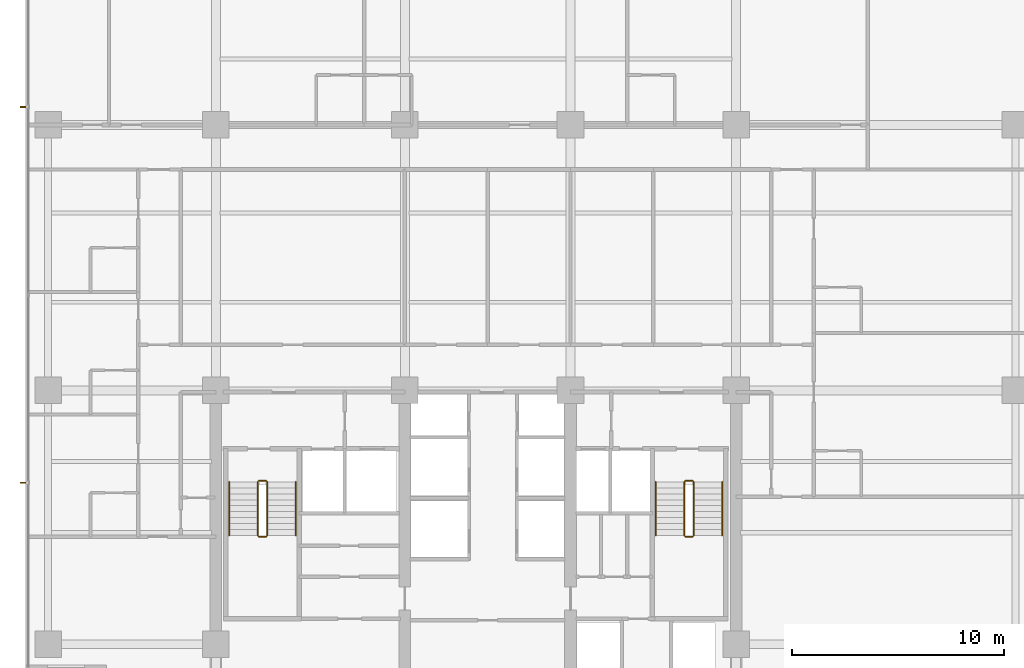
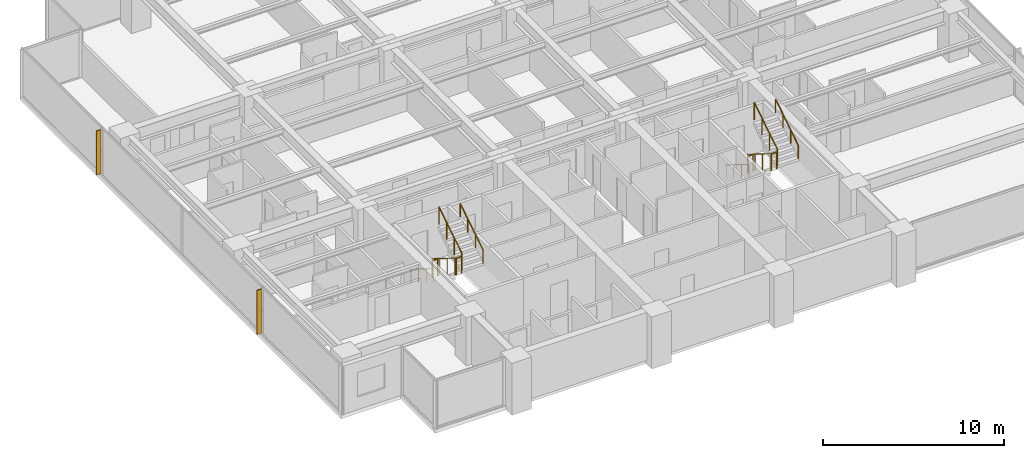
# One storey, part 16 of 17: 12 railings, 2 shading devices.
"""IFC4 building model written with IfcOpenShell, lengths in metres."""

from ifc_helpers import new_model, si_unit, direction, frame, origin, origin_2d, place, context, subcontext, project, spatial, polyline, circle, outline, extrude, material, layer, layer_set, type_object, element, save


model = new_model("IFC4")

# Units and contexts
model_context = context("Model", 3, precision=1e-05, world=origin(), true_north=direction((0.0, 1.0)))
body_context = subcontext(model_context, "Body", "Model", "MODEL_VIEW")
ifc_project = project(units=[si_unit("LENGTHUNIT", "METRE"), si_unit("AREAUNIT", "SQUARE_METRE"), si_unit("VOLUMEUNIT", "CUBIC_METRE"), si_unit("PLANEANGLEUNIT", "RADIAN"), si_unit("MASSUNIT", "GRAM", prefix="KILO")], contexts=[model_context])

# Site, building, storey
site_placement = place(None, origin())
site = spatial("IfcSite", under=ifc_project, at=site_placement, CompositionType="ELEMENT")
building_placement = place(site_placement, origin())
building = spatial("IfcBuilding", under=site, at=building_placement, Name="Qalmaran Belvedere Hotel", CompositionType="ELEMENT")
storey_placement = place(building_placement, frame((0.0, 0.0, 116.199951171875)))
storey = spatial("IfcBuildingStorey", under=building, at=storey_placement, Name="L29", CompositionType="ELEMENT", Elevation=116.199951171875)

# Shading devices
ifc_material_1 = material(Name="Anodised Bronze Aluminium", Category="aluminium")
ifc_layer = layer(ifc_material_1, 0.06494140625, Name="Anodised Bronze Aluminium")
ifc_layer_set = layer_set([ifc_layer], Name="Anodised Bronze Aluminium")
shading_device_type = type_object("IfcShadingDeviceType", Name="FIN-BRNZ-300", PredefinedType="USERDEFINED", material=ifc_layer_set)
shading_device_1_placement = place(storey_placement, frame((0.0, 0.0, 0.16015625)))
element("IfcShadingDevice", 1, at=shading_device_1_placement, inside=storey, type_object=shading_device_type, Name="L29 Bronze Fin 1", ObjectType="FIN", PredefinedType="USERDEFINED", context=body_context, shape_type="SweptSolid", body=[
    extrude(outline(polyline([(11.3798828125, 33.882568359375), (11.080078125, 33.882568359375), (11.080078125, 33.8173828125), (11.3798828125, 33.8173828125), (11.3798828125, 33.882568359375)])), origin(), (0.0, 0.0, 1.0), 2.9599609375),
])
shading_device_2_placement = place(storey_placement, frame((0.0, 0.0, 0.16015625)))
element("IfcShadingDevice", 2, at=shading_device_2_placement, inside=storey, type_object=shading_device_type, Name="L29 Bronze Fin 3", ObjectType="FIN", PredefinedType="USERDEFINED", context=body_context, shape_type="SweptSolid", body=[
    extrude(outline(polyline([(11.3798828125, 16.1826171875), (11.080078125, 16.1826171875), (11.080078125, 16.117431640625), (11.3798828125, 16.117431640625), (11.3798828125, 16.1826171875)])), origin(), (0.0, 0.0, 1.0), 2.9599609375),
])

# Railings
ifc_material_2 = material(Name="Stainless Steel 1.4401", Category="steel")
railing_type_1 = type_object("IfcRailingType", Name="RLG-STAIR-GUARD-1150", PredefinedType="GUARDRAIL", material=ifc_material_2)
railing_1_placement = place(storey_placement, frame((22.280029296875, 16.18994140625, 0.175048828125)))
element("IfcRailing", 3, at=railing_1_placement, inside=storey, type_object=railing_type_1, Name="L29 ST-1 stair guard 1", PredefinedType="GUARDRAIL", context=body_context, shape_type="SweptSolid", body=[
    extrude(circle(Radius=0.02392578125, at=origin_2d()), frame((0.0, 0.0, 1.1259765625), z_axis=(0.0, -0.848007534815, 0.529984170421), x_axis=(1.0, 0.0, 0.0)), (0.0, 0.0, 1.0), 2.9716796875),
    extrude(circle(Radius=0.02099609375, at=origin_2d()), origin(), (0.0, 0.0, 1.0), 1.101806640625),
    extrude(circle(Radius=0.02099609375, at=origin_2d()), frame((0.0, -0.840087890625, 0.52490234375)), (0.0, 0.0, 1.0), 1.101806640625),
    extrude(circle(Radius=0.02099609375, at=origin_2d()), frame((0.0, -1.679931640625, 1.050048828125)), (0.0, 0.0, 1.0), 1.101806640625),
    extrude(circle(Radius=0.02099609375, at=origin_2d()), frame((0.0, -2.52001953125, 1.574951171875)), (0.0, 0.0, 1.0), 1.101806640625),
])
railing_2_placement = place(storey_placement, frame((22.330078125, 13.6201171875, 1.75)))
element("IfcRailing", 4, at=railing_2_placement, inside=storey, type_object=railing_type_1, Name="L29 ST-1 stair guard 2", PredefinedType="GUARDRAIL", context=body_context, shape_type="SweptSolid", body=[
    extrude(circle(Radius=0.02392578125, at=origin_2d()), frame((0.0, 0.0, 1.1259765625), z_axis=(1.0, 0.0, 0.0), x_axis=(0.0, 1.0, 0.0)), (0.0, 0.0, 1.0), 0.33984375),
    extrude(circle(Radius=0.02099609375, at=origin_2d()), origin(), (0.0, 0.0, 1.0), 1.101806640625),
    extrude(circle(Radius=0.02099609375, at=origin_2d()), frame((0.33984375, 0.0, 0.0)), (0.0, 0.0, 1.0), 1.101806640625),
])
railing_3_placement = place(storey_placement, frame((22.719970703125, 13.669921875, 1.925048828125)))
element("IfcRailing", 5, at=railing_3_placement, inside=storey, type_object=railing_type_1, Name="L29 ST-1 stair guard 3", PredefinedType="GUARDRAIL", context=body_context, shape_type="SweptSolid", body=[
    extrude(circle(Radius=0.02392578125, at=origin_2d()), frame((0.0, 0.0, 1.1259765625), z_axis=(0.0, 0.848007534815, 0.529984170421), x_axis=(-1.0, 0.0, 0.0)), (0.0, 0.0, 1.0), 2.9716796875),
    extrude(circle(Radius=0.02099609375, at=origin_2d()), origin(), (0.0, 0.0, 1.0), 1.101806640625),
    extrude(circle(Radius=0.02099609375, at=origin_2d()), frame((0.0, 0.840087890625, 0.52490234375)), (0.0, 0.0, 1.0), 1.101806640625),
    extrude(circle(Radius=0.02099609375, at=origin_2d()), frame((0.0, 1.679931640625, 1.050048828125)), (0.0, 0.0, 1.0), 1.101806640625),
    extrude(circle(Radius=0.02099609375, at=origin_2d()), frame((0.0, 2.52001953125, 1.574951171875)), (0.0, 0.0, 1.0), 1.101806640625),
])
railing_4_placement = place(storey_placement, frame((22.330078125, 16.239990234375, 0.0)))
element("IfcRailing", 6, at=railing_4_placement, inside=storey, type_object=railing_type_1, Name="L29 ST-1 stair guard 4", PredefinedType="GUARDRAIL", context=body_context, shape_type="SweptSolid", body=[
    extrude(circle(Radius=0.02392578125, at=origin_2d()), frame((0.0, 0.0, 1.1259765625), z_axis=(1.0, 0.0, 0.0), x_axis=(0.0, 1.0, 0.0)), (0.0, 0.0, 1.0), 0.33984375),
    extrude(circle(Radius=0.02099609375, at=origin_2d()), origin(), (0.0, 0.0, 1.0), 1.101806640625),
    extrude(circle(Radius=0.02099609375, at=origin_2d()), frame((0.33984375, 0.0, 0.0)), (0.0, 0.0, 1.0), 1.101806640625),
])
railing_5_placement = place(storey_placement, frame((42.360107421875, 16.18994140625, 0.175048828125)))
element("IfcRailing", 7, at=railing_5_placement, inside=storey, type_object=railing_type_1, Name="L29 ST-2 stair guard 1", PredefinedType="GUARDRAIL", context=body_context, shape_type="SweptSolid", body=[
    extrude(circle(Radius=0.02392578125, at=origin_2d()), frame((0.0, 0.0, 1.1259765625), z_axis=(0.0, -0.848007534815, 0.529984170421), x_axis=(1.0, 0.0, 0.0)), (0.0, 0.0, 1.0), 2.9716796875),
    extrude(circle(Radius=0.02099609375, at=origin_2d()), origin(), (0.0, 0.0, 1.0), 1.101806640625),
    extrude(circle(Radius=0.02099609375, at=origin_2d()), frame((0.0, -0.840087890625, 0.52490234375)), (0.0, 0.0, 1.0), 1.101806640625),
    extrude(circle(Radius=0.02099609375, at=origin_2d()), frame((0.0, -1.679931640625, 1.050048828125)), (0.0, 0.0, 1.0), 1.101806640625),
    extrude(circle(Radius=0.02099609375, at=origin_2d()), frame((0.0, -2.52001953125, 1.574951171875)), (0.0, 0.0, 1.0), 1.101806640625),
])
railing_6_placement = place(storey_placement, frame((42.409912109375, 13.6201171875, 1.75)))
element("IfcRailing", 8, at=railing_6_placement, inside=storey, type_object=railing_type_1, Name="L29 ST-2 stair guard 2", PredefinedType="GUARDRAIL", context=body_context, shape_type="SweptSolid", body=[
    extrude(circle(Radius=0.02392578125, at=origin_2d()), frame((0.0, 0.0, 1.1259765625), z_axis=(1.0, 0.0, 0.0), x_axis=(0.0, 1.0, 0.0)), (0.0, 0.0, 1.0), 0.340087890625),
    extrude(circle(Radius=0.02099609375, at=origin_2d()), origin(), (0.0, 0.0, 1.0), 1.101806640625),
    extrude(circle(Radius=0.02099609375, at=origin_2d()), frame((0.340087890625, 0.0, 0.0)), (0.0, 0.0, 1.0), 1.101806640625),
])
railing_7_placement = place(storey_placement, frame((42.800048828125, 13.669921875, 1.925048828125)))
element("IfcRailing", 9, at=railing_7_placement, inside=storey, type_object=railing_type_1, Name="L29 ST-2 stair guard 3", PredefinedType="GUARDRAIL", context=body_context, shape_type="SweptSolid", body=[
    extrude(circle(Radius=0.02392578125, at=origin_2d()), frame((0.0, 0.0, 1.1259765625), z_axis=(0.0, 0.848007534815, 0.529984170421), x_axis=(-1.0, 0.0, 0.0)), (0.0, 0.0, 1.0), 2.9716796875),
    extrude(circle(Radius=0.02099609375, at=origin_2d()), origin(), (0.0, 0.0, 1.0), 1.101806640625),
    extrude(circle(Radius=0.02099609375, at=origin_2d()), frame((0.0, 0.840087890625, 0.52490234375)), (0.0, 0.0, 1.0), 1.101806640625),
    extrude(circle(Radius=0.02099609375, at=origin_2d()), frame((0.0, 1.679931640625, 1.050048828125)), (0.0, 0.0, 1.0), 1.101806640625),
    extrude(circle(Radius=0.02099609375, at=origin_2d()), frame((0.0, 2.52001953125, 1.574951171875)), (0.0, 0.0, 1.0), 1.101806640625),
])
railing_8_placement = place(storey_placement, frame((42.409912109375, 16.239990234375, 0.0)))
element("IfcRailing", 10, at=railing_8_placement, inside=storey, type_object=railing_type_1, Name="L29 ST-2 stair guard 4", PredefinedType="GUARDRAIL", context=body_context, shape_type="SweptSolid", body=[
    extrude(circle(Radius=0.02392578125, at=origin_2d()), frame((0.0, 0.0, 1.1259765625), z_axis=(1.0, 0.0, 0.0), x_axis=(0.0, 1.0, 0.0)), (0.0, 0.0, 1.0), 0.340087890625),
    extrude(circle(Radius=0.02099609375, at=origin_2d()), origin(), (0.0, 0.0, 1.0), 1.101806640625),
    extrude(circle(Radius=0.02099609375, at=origin_2d()), frame((0.340087890625, 0.0, 0.0)), (0.0, 0.0, 1.0), 1.101806640625),
])
railing_type_2 = type_object("IfcRailingType", Name="RLG-STAIR-HAND-910", PredefinedType="HANDRAIL", material=ifc_material_2)
railing_9_placement = place(storey_placement, frame((20.929931640625, 16.18994140625, 0.175048828125)))
element("IfcRailing", 11, at=railing_9_placement, inside=storey, type_object=railing_type_2, Name="L29 ST-1 stair handrail 1", PredefinedType="HANDRAIL", context=body_context, shape_type="SweptSolid", body=[
    extrude(circle(Radius=0.02392578125, at=origin_2d()), frame((0.0, 0.0, 0.8857421875), z_axis=(0.0, -0.848007534815, 0.529984170421), x_axis=(1.0, 0.0, 0.0)), (0.0, 0.0, 1.0), 2.9716796875),
    extrude(circle(Radius=0.02099609375, at=origin_2d()), origin(), (0.0, 0.0, 1.0), 0.86181640625),
    extrude(circle(Radius=0.02099609375, at=origin_2d()), frame((0.0, -0.840087890625, 0.52490234375)), (0.0, 0.0, 1.0), 0.86181640625),
    extrude(circle(Radius=0.02099609375, at=origin_2d()), frame((0.0, -1.679931640625, 1.050048828125)), (0.0, 0.0, 1.0), 0.86181640625),
    extrude(circle(Radius=0.02099609375, at=origin_2d()), frame((0.0, -2.52001953125, 1.574951171875)), (0.0, 0.0, 1.0), 0.86181640625),
])
railing_10_placement = place(storey_placement, frame((24.070068359375, 13.669921875, 1.925048828125)))
element("IfcRailing", 12, at=railing_10_placement, inside=storey, type_object=railing_type_2, Name="L29 ST-1 stair handrail 2", PredefinedType="HANDRAIL", context=body_context, shape_type="SweptSolid", body=[
    extrude(circle(Radius=0.02392578125, at=origin_2d()), frame((0.0, 0.0, 0.8857421875), z_axis=(0.0, 0.848007534815, 0.529984170421), x_axis=(-1.0, 0.0, 0.0)), (0.0, 0.0, 1.0), 2.9716796875),
    extrude(circle(Radius=0.02099609375, at=origin_2d()), origin(), (0.0, 0.0, 1.0), 0.86181640625),
    extrude(circle(Radius=0.02099609375, at=origin_2d()), frame((0.0, 0.840087890625, 0.52490234375)), (0.0, 0.0, 1.0), 0.86181640625),
    extrude(circle(Radius=0.02099609375, at=origin_2d()), frame((0.0, 1.679931640625, 1.050048828125)), (0.0, 0.0, 1.0), 0.86181640625),
    extrude(circle(Radius=0.02099609375, at=origin_2d()), frame((0.0, 2.52001953125, 1.574951171875)), (0.0, 0.0, 1.0), 0.86181640625),
])
railing_11_placement = place(storey_placement, frame((41.010009765625, 16.18994140625, 0.175048828125)))
element("IfcRailing", 13, at=railing_11_placement, inside=storey, type_object=railing_type_2, Name="L29 ST-2 stair handrail 1", PredefinedType="HANDRAIL", context=body_context, shape_type="SweptSolid", body=[
    extrude(circle(Radius=0.02392578125, at=origin_2d()), frame((0.0, 0.0, 0.8857421875), z_axis=(0.0, -0.848007534815, 0.529984170421), x_axis=(1.0, 0.0, 0.0)), (0.0, 0.0, 1.0), 2.9716796875),
    extrude(circle(Radius=0.02099609375, at=origin_2d()), origin(), (0.0, 0.0, 1.0), 0.86181640625),
    extrude(circle(Radius=0.02099609375, at=origin_2d()), frame((0.0, -0.840087890625, 0.52490234375)), (0.0, 0.0, 1.0), 0.86181640625),
    extrude(circle(Radius=0.02099609375, at=origin_2d()), frame((0.0, -1.679931640625, 1.050048828125)), (0.0, 0.0, 1.0), 0.86181640625),
    extrude(circle(Radius=0.02099609375, at=origin_2d()), frame((0.0, -2.52001953125, 1.574951171875)), (0.0, 0.0, 1.0), 0.86181640625),
])
railing_12_placement = place(storey_placement, frame((44.14990234375, 13.669921875, 1.925048828125)))
element("IfcRailing", 14, at=railing_12_placement, inside=storey, type_object=railing_type_2, Name="L29 ST-2 stair handrail 2", PredefinedType="HANDRAIL", context=body_context, shape_type="SweptSolid", body=[
    extrude(circle(Radius=0.02392578125, at=origin_2d()), frame((0.0, 0.0, 0.8857421875), z_axis=(0.0, 0.848007534815, 0.529984170421), x_axis=(-1.0, 0.0, 0.0)), (0.0, 0.0, 1.0), 2.9716796875),
    extrude(circle(Radius=0.02099609375, at=origin_2d()), origin(), (0.0, 0.0, 1.0), 0.86181640625),
    extrude(circle(Radius=0.02099609375, at=origin_2d()), frame((0.0, 0.840087890625, 0.52490234375)), (0.0, 0.0, 1.0), 0.86181640625),
    extrude(circle(Radius=0.02099609375, at=origin_2d()), frame((0.0, 1.679931640625, 1.050048828125)), (0.0, 0.0, 1.0), 0.86181640625),
    extrude(circle(Radius=0.02099609375, at=origin_2d()), frame((0.0, 2.52001953125, 1.574951171875)), (0.0, 0.0, 1.0), 0.86181640625),
])

save(model, "model.ifc")
